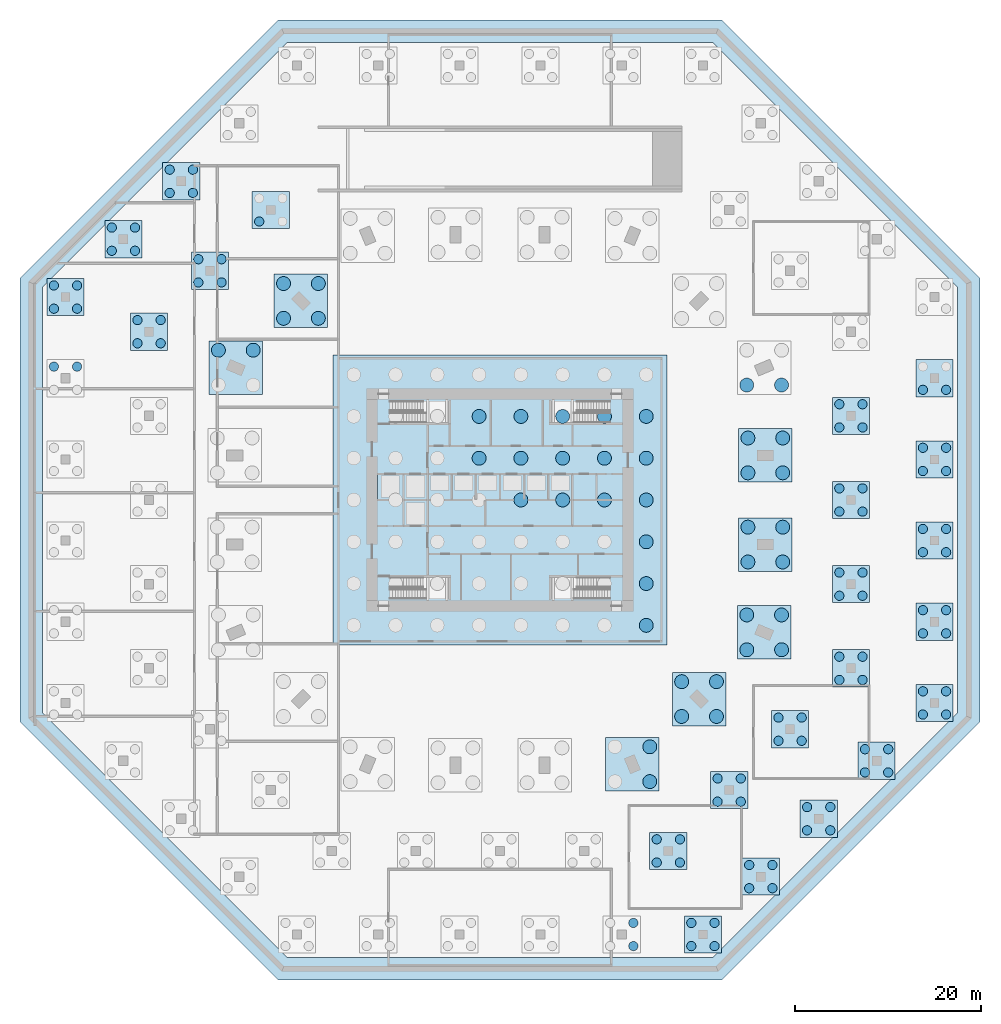
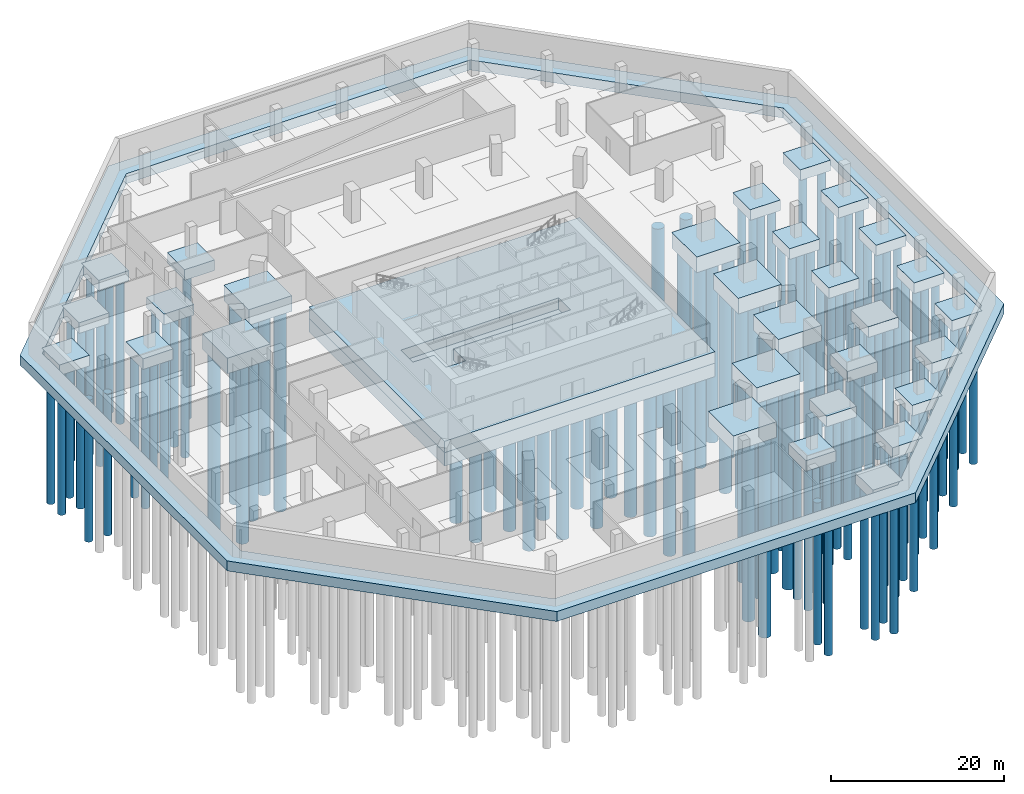
# One storey, part 2 of 14: 130 piles, 32 footings.
"""IFC4 building model written with IfcOpenShell, lengths in metres."""

from ifc_helpers import new_model, si_unit, direction, frame, origin, origin_2d, place, context, subcontext, project, spatial, polyline, circle, outline, extrude, material, layer, layer_set, type_object, element, save


model = new_model("IFC4")

# Units and contexts
model_context = context("Model", 3, precision=1e-05, world=origin(), true_north=direction((0.0, 1.0)))
body_context = subcontext(model_context, "Body", "Model", "MODEL_VIEW")
ifc_project = project(units=[si_unit("LENGTHUNIT", "METRE"), si_unit("AREAUNIT", "SQUARE_METRE"), si_unit("VOLUMEUNIT", "CUBIC_METRE"), si_unit("PLANEANGLEUNIT", "RADIAN"), si_unit("MASSUNIT", "GRAM", prefix="KILO")], contexts=[model_context])

# Site, building, storey
site_placement = place(None, origin())
site = spatial("IfcSite", under=ifc_project, at=site_placement, CompositionType="ELEMENT")
building_placement = place(site_placement, origin())
building = spatial("IfcBuilding", under=site, at=building_placement, Name="Msitu Wima Residences", CompositionType="ELEMENT")
storey_placement = place(building_placement, frame((0.0, 0.0, -9.0)))
storey = spatial("IfcBuildingStorey", under=building, at=storey_placement, Name="B2", CompositionType="ELEMENT", Elevation=-9.0)

# Piles
ifc_material = material(Name="Concrete C40/50", Category="concrete")
pile_type_1 = type_object("IfcPileType", Name="Bored pile PH1 D1500", PredefinedType="BORED", material=ifc_material)
for number, where, z_axis, x_axis, name in (
    (1, (15.75, -13.5, -3.5), (0.0, 0.0, -1.0), (1.0, 0.0, 0.0), "Raft pile PH1-08"),
    (2, (15.75, -9.0, -3.5), (0.0, 0.0, -1.0), (1.0, 0.0, 0.0), "Raft pile PH1-16"),
    (3, (15.75, -4.5, -3.5), (0.0, 0.0, -1.0), (1.0, 0.0, 0.0), "Raft pile PH1-24"),
    (4, (2.25, 0.0, -3.5), (0.0, 0.0, -1.0), (1.0, 0.0, 0.0), "Raft pile PH1-29"),
    (5, (6.75, 0.0, -3.5), (0.0, 0.0, -1.0), (1.0, 0.0, 0.0), "Raft pile PH1-30"),
    (6, (11.25, 0.0, -3.5), (0.0, 0.0, -1.0), (1.0, 0.0, 0.0), "Raft pile PH1-31"),
    (7, (15.75, 0.0, -3.5), (0.0, 0.0, -1.0), (1.0, 0.0, 0.0), "Raft pile PH1-32"),
    (8, (-2.25, 4.5, -3.5), (0.0, 0.0, -1.0), (1.0, 0.0, 0.0), "Raft pile PH1-36"),
    (9, (2.25, 4.5, -3.5), (0.0, 0.0, -1.0), (1.0, 0.0, 0.0), "Raft pile PH1-37"),
    (10, (6.75, 4.5, -3.5), (0.0, 0.0, -1.0), (1.0, 0.0, 0.0), "Raft pile PH1-38"),
    (11, (11.25, 4.5, -3.5), (0.0, 0.0, -1.0), (1.0, 0.0, 0.0), "Raft pile PH1-39"),
    (12, (15.75, 4.5, -3.5), (0.0, 0.0, -1.0), (1.0, 0.0, 0.0), "Raft pile PH1-40"),
    (13, (-2.25, 9.0, -3.5), (0.0, 0.0, -1.0), (1.0, 0.0, 0.0), "Raft pile PH1-44"),
    (14, (2.25, 9.0, -3.5), (0.0, 0.0, -1.0), (1.0, 0.0, 0.0), "Raft pile PH1-45"),
    (15, (6.75, 9.0, -3.5), (0.0, 0.0, -1.0), (1.0, 0.0, 0.0), "Raft pile PH1-46"),
    (16, (11.25, 9.0, -3.5), (0.0, 0.0, -1.0), (1.0, 0.0, 0.0), "Raft pile PH1-47"),
    (17, (15.75, 9.0, -3.5), (0.0, 0.0, -1.0), (1.0, 0.0, 0.0), "Raft pile PH1-48"),
    (18, (16.1318359375, -30.3291015625, -2.199951171875), (0.0, 0.0, -1.0), (1.0, 0.0, 0.0), "Pile PH1-021-2"),
    (19, (16.1318359375, -26.5791015625, -2.199951171875), (0.0, 0.0, -1.0), (1.0, 0.0, 0.0), "Pile PH1-021-3"),
    (20, (19.56591796875, -23.31591796875, -2.199951171875), (0.0, 0.0, -1.0), (1.0, 0.0, 0.0), "Pile PH1-027-1"),
    (21, (23.31591796875, -23.31591796875, -2.199951171875), (0.0, 0.0, -1.0), (1.0, 0.0, 0.0), "Pile PH1-027-2"),
    (22, (23.31591796875, -19.56591796875, -2.199951171875), (0.0, 0.0, -1.0), (1.0, 0.0, 0.0), "Pile PH1-027-3"),
    (23, (19.56591796875, -19.56591796875, -2.199951171875), (0.0, 0.0, -1.0), (1.0, 0.0, 0.0), "Pile PH1-027-4"),
    (24, (26.5791015625, -16.1318359375, -2.199951171875), (0.0, 0.0, -1.0), (1.0, 0.0, 0.0), "Pile PH1-033-1"),
    (25, (30.3291015625, -16.1318359375, -2.199951171875), (0.0, 0.0, -1.0), (1.0, 0.0, 0.0), "Pile PH1-033-2"),
    (26, (30.3291015625, -12.3818359375, -2.199951171875), (0.0, 0.0, -1.0), (1.0, 0.0, 0.0), "Pile PH1-033-3"),
    (27, (26.5791015625, -12.3818359375, -2.199951171875), (0.0, 0.0, -1.0), (1.0, 0.0, 0.0), "Pile PH1-033-4"),
    (28, (26.699951171875, -6.675048828125, -2.199951171875), (0.0, 0.0, -1.0), (1.0, 0.0, 0.0), "Pile PH1-039-1"),
    (29, (30.449951171875, -6.675048828125, -2.199951171875), (0.0, 0.0, -1.0), (1.0, 0.0, 0.0), "Pile PH1-039-2"),
    (30, (30.449951171875, -2.925048828125, -2.199951171875), (0.0, 0.0, -1.0), (1.0, 0.0, 0.0), "Pile PH1-039-3"),
    (31, (26.699951171875, -2.925048828125, -2.199951171875), (0.0, 0.0, -1.0), (1.0, 0.0, 0.0), "Pile PH1-039-4"),
    (32, (26.699951171875, 2.925048828125, -2.199951171875), (0.0, 0.0, -1.0), (1.0, 0.0, 0.0), "Pile PH1-045-1"),
    (33, (30.449951171875, 2.925048828125, -2.199951171875), (0.0, 0.0, -1.0), (1.0, 0.0, 0.0), "Pile PH1-045-2"),
    (34, (30.449951171875, 6.675048828125, -2.199951171875), (0.0, 0.0, -1.0), (1.0, 0.0, 0.0), "Pile PH1-045-3"),
    (35, (26.699951171875, 6.675048828125, -2.199951171875), (0.0, 0.0, -1.0), (1.0, 0.0, 0.0), "Pile PH1-045-4"),
    (36, (-26.5791015625, 16.1318359375, -2.199951171875), (0.0, 0.0, -1.0), (1.0, 0.0, 0.0), "Pile PH1-052-3"),
    (37, (-30.3291015625, 16.1318359375, -2.199951171875), (0.0, 0.0, -1.0), (1.0, 0.0, 0.0), "Pile PH1-052-4"),
    (38, (26.5791015625, 12.3818359375, -2.199951171875), (0.0, 0.0, -1.0), (1.0, 0.0, 0.0), "Pile PH1-053-1"),
    (39, (30.3291015625, 12.3818359375, -2.199951171875), (0.0, 0.0, -1.0), (1.0, 0.0, 0.0), "Pile PH1-053-2"),
    (40, (-23.31591796875, 19.56591796875, -2.199951171875), (0.0, 0.0, -1.0), (1.0, 0.0, 0.0), "Pile PH1-056-1"),
    (41, (-19.56591796875, 19.56591796875, -2.199951171875), (0.0, 0.0, -1.0), (1.0, 0.0, 0.0), "Pile PH1-056-2"),
    (42, (-19.56591796875, 23.31591796875, -2.199951171875), (0.0, 0.0, -1.0), (1.0, 0.0, 0.0), "Pile PH1-056-3"),
    (43, (-23.31591796875, 23.31591796875, -2.199951171875), (0.0, 0.0, -1.0), (1.0, 0.0, 0.0), "Pile PH1-056-4"),
):
    element("IfcPile", number, at=place(storey_placement, frame(where, z_axis=z_axis, x_axis=x_axis)), inside=storey, type_object=pile_type_1, Name=name, PredefinedType="BORED", context=body_context, shape_type="SweptSolid", body=[
        extrude(circle(Radius=0.75, at=origin_2d()), origin(), (0.0, 0.0, 1.0), 28.0),
    ])
pile_type_2 = type_object("IfcPileType", Name="Bored pile PL1 D1000", PredefinedType="BORED", material=ifc_material)
for number, where, z_axis, x_axis, name in (
    (44, (14.363525390625, -48.050048828125, -1.5), (0.0, 0.0, -1.0), (1.0, 0.0, 0.0), "Pile PLP1-005-2"),
    (45, (14.363525390625, -45.550048828125, -1.5), (0.0, 0.0, -1.0), (1.0, 0.0, 0.0), "Pile PLP1-005-3"),
    (46, (20.60595703125, -48.050048828125, -1.5), (0.0, 0.0, -1.0), (1.0, 0.0, 0.0), "Pile PLP1-006-1"),
    (47, (23.10595703125, -48.050048828125, -1.5), (0.0, 0.0, -1.0), (1.0, 0.0, 0.0), "Pile PLP1-006-2"),
    (48, (23.10595703125, -45.550048828125, -1.5), (0.0, 0.0, -1.0), (1.0, 0.0, 0.0), "Pile PLP1-006-3"),
    (49, (20.60595703125, -45.550048828125, -1.5), (0.0, 0.0, -1.0), (1.0, 0.0, 0.0), "Pile PLP1-006-4"),
    (50, (26.841796875, -41.81396484375, -1.5), (0.0, 0.0, -1.0), (1.0, 0.0, 0.0), "Pile PLP1-008-1"),
    (51, (29.341796875, -41.81396484375, -1.5), (0.0, 0.0, -1.0), (1.0, 0.0, 0.0), "Pile PLP1-008-2"),
    (52, (29.341796875, -39.31396484375, -1.5), (0.0, 0.0, -1.0), (1.0, 0.0, 0.0), "Pile PLP1-008-3"),
    (53, (26.841796875, -39.31396484375, -1.5), (0.0, 0.0, -1.0), (1.0, 0.0, 0.0), "Pile PLP1-008-4"),
    (54, (16.8779296875, -39.050048828125, -1.5), (0.0, 0.0, -1.0), (1.0, 0.0, 0.0), "Pile PLP1-013-1"),
    (55, (19.3779296875, -39.050048828125, -1.5), (0.0, 0.0, -1.0), (1.0, 0.0, 0.0), "Pile PLP1-013-2"),
    (56, (19.3779296875, -36.550048828125, -1.5), (0.0, 0.0, -1.0), (1.0, 0.0, 0.0), "Pile PLP1-013-3"),
    (57, (16.8779296875, -36.550048828125, -1.5), (0.0, 0.0, -1.0), (1.0, 0.0, 0.0), "Pile PLP1-013-4"),
    (58, (33.077880859375, -35.577880859375, -1.5), (0.0, 0.0, -1.0), (1.0, 0.0, 0.0), "Pile PLP1-015-1"),
    (59, (35.577880859375, -35.577880859375, -1.5), (0.0, 0.0, -1.0), (1.0, 0.0, 0.0), "Pile PLP1-015-2"),
    (60, (35.577880859375, -33.077880859375, -1.5), (0.0, 0.0, -1.0), (1.0, 0.0, 0.0), "Pile PLP1-015-3"),
    (61, (33.077880859375, -33.077880859375, -1.5), (0.0, 0.0, -1.0), (1.0, 0.0, 0.0), "Pile PLP1-015-4"),
    (62, (23.435302734375, -32.49267578125, -1.5), (0.0, 0.0, -1.0), (1.0, 0.0, 0.0), "Pile PLP1-017-1"),
    (63, (25.935302734375, -32.49267578125, -1.5), (0.0, 0.0, -1.0), (1.0, 0.0, 0.0), "Pile PLP1-017-2"),
    (64, (25.935302734375, -29.99267578125, -1.5), (0.0, 0.0, -1.0), (1.0, 0.0, 0.0), "Pile PLP1-017-3"),
    (65, (23.435302734375, -29.99267578125, -1.5), (0.0, 0.0, -1.0), (1.0, 0.0, 0.0), "Pile PLP1-017-4"),
    (66, (39.31396484375, -29.341796875, -1.5), (0.0, 0.0, -1.0), (1.0, 0.0, 0.0), "Pile PLP1-023-1"),
    (67, (41.81396484375, -29.341796875, -1.5), (0.0, 0.0, -1.0), (1.0, 0.0, 0.0), "Pile PLP1-023-2"),
    (68, (41.81396484375, -26.841796875, -1.5), (0.0, 0.0, -1.0), (1.0, 0.0, 0.0), "Pile PLP1-023-3"),
    (69, (39.31396484375, -26.841796875, -1.5), (0.0, 0.0, -1.0), (1.0, 0.0, 0.0), "Pile PLP1-023-4"),
    (70, (29.99267578125, -25.935302734375, -1.5), (0.0, 0.0, -1.0), (1.0, 0.0, 0.0), "Pile PLP1-025-1"),
    (71, (32.49267578125, -25.935302734375, -1.5), (0.0, 0.0, -1.0), (1.0, 0.0, 0.0), "Pile PLP1-025-2"),
    (72, (32.49267578125, -23.435302734375, -1.5), (0.0, 0.0, -1.0), (1.0, 0.0, 0.0), "Pile PLP1-025-3"),
    (73, (29.99267578125, -23.435302734375, -1.5), (0.0, 0.0, -1.0), (1.0, 0.0, 0.0), "Pile PLP1-025-4"),
    (74, (45.550048828125, -23.10595703125, -1.5), (0.0, 0.0, -1.0), (1.0, 0.0, 0.0), "Pile PLP1-029-1"),
    (75, (48.050048828125, -23.10595703125, -1.5), (0.0, 0.0, -1.0), (1.0, 0.0, 0.0), "Pile PLP1-029-2"),
    (76, (48.050048828125, -20.60595703125, -1.5), (0.0, 0.0, -1.0), (1.0, 0.0, 0.0), "Pile PLP1-029-3"),
    (77, (45.550048828125, -20.60595703125, -1.5), (0.0, 0.0, -1.0), (1.0, 0.0, 0.0), "Pile PLP1-029-4"),
    (78, (36.550048828125, -19.3779296875, -1.5), (0.0, 0.0, -1.0), (1.0, 0.0, 0.0), "Pile PLP1-031-1"),
    (79, (39.050048828125, -19.3779296875, -1.5), (0.0, 0.0, -1.0), (1.0, 0.0, 0.0), "Pile PLP1-031-2"),
    (80, (39.050048828125, -16.8779296875, -1.5), (0.0, 0.0, -1.0), (1.0, 0.0, 0.0), "Pile PLP1-031-3"),
    (81, (36.550048828125, -16.8779296875, -1.5), (0.0, 0.0, -1.0), (1.0, 0.0, 0.0), "Pile PLP1-031-4"),
    (82, (45.550048828125, -14.363525390625, -1.5), (0.0, 0.0, -1.0), (1.0, 0.0, 0.0), "Pile PLP1-035-1"),
    (83, (48.050048828125, -14.363525390625, -1.5), (0.0, 0.0, -1.0), (1.0, 0.0, 0.0), "Pile PLP1-035-2"),
    (84, (48.050048828125, -11.863525390625, -1.5), (0.0, 0.0, -1.0), (1.0, 0.0, 0.0), "Pile PLP1-035-3"),
    (85, (45.550048828125, -11.863525390625, -1.5), (0.0, 0.0, -1.0), (1.0, 0.0, 0.0), "Pile PLP1-035-4"),
    (86, (36.550048828125, -10.31396484375, -1.5), (0.0, 0.0, -1.0), (1.0, 0.0, 0.0), "Pile PLP1-037-1"),
    (87, (39.050048828125, -10.31396484375, -1.5), (0.0, 0.0, -1.0), (1.0, 0.0, 0.0), "Pile PLP1-037-2"),
    (88, (39.050048828125, -7.81396484375, -1.5), (0.0, 0.0, -1.0), (1.0, 0.0, 0.0), "Pile PLP1-037-3"),
    (89, (36.550048828125, -7.81396484375, -1.5), (0.0, 0.0, -1.0), (1.0, 0.0, 0.0), "Pile PLP1-037-4"),
    (90, (45.550048828125, -5.62109375, -1.5), (0.0, 0.0, -1.0), (1.0, 0.0, 0.0), "Pile PLP1-041-1"),
    (91, (48.050048828125, -5.62109375, -1.5), (0.0, 0.0, -1.0), (1.0, 0.0, 0.0), "Pile PLP1-041-2"),
    (92, (48.050048828125, -3.12109375, -1.5), (0.0, 0.0, -1.0), (1.0, 0.0, 0.0), "Pile PLP1-041-3"),
    (93, (45.550048828125, -3.12109375, -1.5), (0.0, 0.0, -1.0), (1.0, 0.0, 0.0), "Pile PLP1-041-4"),
    (94, (36.550048828125, -1.25, -1.5), (0.0, 0.0, -1.0), (1.0, 0.0, 0.0), "Pile PLP1-043-1"),
    (95, (39.050048828125, -1.25, -1.5), (0.0, 0.0, -1.0), (1.0, 0.0, 0.0), "Pile PLP1-043-2"),
    (96, (39.050048828125, 1.25, -1.5), (0.0, 0.0, -1.0), (1.0, 0.0, 0.0), "Pile PLP1-043-3"),
    (97, (36.550048828125, 1.25, -1.5), (0.0, 0.0, -1.0), (1.0, 0.0, 0.0), "Pile PLP1-043-4"),
    (98, (45.550048828125, 3.12109375, -1.5), (0.0, 0.0, -1.0), (1.0, 0.0, 0.0), "Pile PLP1-047-1"),
    (99, (48.050048828125, 3.12109375, -1.5), (0.0, 0.0, -1.0), (1.0, 0.0, 0.0), "Pile PLP1-047-2"),
    (100, (48.050048828125, 5.62109375, -1.5), (0.0, 0.0, -1.0), (1.0, 0.0, 0.0), "Pile PLP1-047-3"),
    (101, (45.550048828125, 5.62109375, -1.5), (0.0, 0.0, -1.0), (1.0, 0.0, 0.0), "Pile PLP1-047-4"),
    (102, (36.550048828125, 7.81396484375, -1.5), (0.0, 0.0, -1.0), (1.0, 0.0, 0.0), "Pile PLP1-049-1"),
    (103, (39.050048828125, 7.81396484375, -1.5), (0.0, 0.0, -1.0), (1.0, 0.0, 0.0), "Pile PLP1-049-2"),
    (104, (39.050048828125, 10.31396484375, -1.5), (0.0, 0.0, -1.0), (1.0, 0.0, 0.0), "Pile PLP1-049-3"),
    (105, (36.550048828125, 10.31396484375, -1.5), (0.0, 0.0, -1.0), (1.0, 0.0, 0.0), "Pile PLP1-049-4"),
    (106, (-45.550048828125, 14.363525390625, -1.5), (0.0, 0.0, -1.0), (1.0, 0.0, 0.0), "Pile PLP1-050-3"),
    (107, (-48.050048828125, 14.363525390625, -1.5), (0.0, 0.0, -1.0), (1.0, 0.0, 0.0), "Pile PLP1-050-4"),
    (108, (45.550048828125, 11.863525390625, -1.5), (0.0, 0.0, -1.0), (1.0, 0.0, 0.0), "Pile PLP1-051-1"),
    (109, (48.050048828125, 11.863525390625, -1.5), (0.0, 0.0, -1.0), (1.0, 0.0, 0.0), "Pile PLP1-051-2"),
    (110, (-39.050048828125, 16.8779296875, -1.5), (0.0, 0.0, -1.0), (1.0, 0.0, 0.0), "Pile PLP1-054-1"),
    (111, (-36.550048828125, 16.8779296875, -1.5), (0.0, 0.0, -1.0), (1.0, 0.0, 0.0), "Pile PLP1-054-2"),
    (112, (-36.550048828125, 19.3779296875, -1.5), (0.0, 0.0, -1.0), (1.0, 0.0, 0.0), "Pile PLP1-054-3"),
    (113, (-39.050048828125, 19.3779296875, -1.5), (0.0, 0.0, -1.0), (1.0, 0.0, 0.0), "Pile PLP1-054-4"),
    (114, (-48.050048828125, 20.60595703125, -1.5), (0.0, 0.0, -1.0), (1.0, 0.0, 0.0), "Pile PLP1-058-1"),
    (115, (-45.550048828125, 20.60595703125, -1.5), (0.0, 0.0, -1.0), (1.0, 0.0, 0.0), "Pile PLP1-058-2"),
    (116, (-45.550048828125, 23.10595703125, -1.5), (0.0, 0.0, -1.0), (1.0, 0.0, 0.0), "Pile PLP1-058-3"),
    (117, (-48.050048828125, 23.10595703125, -1.5), (0.0, 0.0, -1.0), (1.0, 0.0, 0.0), "Pile PLP1-058-4"),
    (118, (-32.49267578125, 23.435302734375, -1.5), (0.0, 0.0, -1.0), (1.0, 0.0, 0.0), "Pile PLP1-060-1"),
    (119, (-29.99267578125, 23.435302734375, -1.5), (0.0, 0.0, -1.0), (1.0, 0.0, 0.0), "Pile PLP1-060-2"),
    (120, (-29.99267578125, 25.935302734375, -1.5), (0.0, 0.0, -1.0), (1.0, 0.0, 0.0), "Pile PLP1-060-3"),
    (121, (-32.49267578125, 25.935302734375, -1.5), (0.0, 0.0, -1.0), (1.0, 0.0, 0.0), "Pile PLP1-060-4"),
    (122, (-41.81396484375, 26.841796875, -1.5), (0.0, 0.0, -1.0), (1.0, 0.0, 0.0), "Pile PLP1-066-1"),
    (123, (-39.31396484375, 26.841796875, -1.5), (0.0, 0.0, -1.0), (1.0, 0.0, 0.0), "Pile PLP1-066-2"),
    (124, (-39.31396484375, 29.341796875, -1.5), (0.0, 0.0, -1.0), (1.0, 0.0, 0.0), "Pile PLP1-066-3"),
    (125, (-41.81396484375, 29.341796875, -1.5), (0.0, 0.0, -1.0), (1.0, 0.0, 0.0), "Pile PLP1-066-4"),
    (126, (-25.935302734375, 29.99267578125, -1.5), (0.0, 0.0, -1.0), (1.0, 0.0, 0.0), "Pile PLP1-068-1"),
    (127, (-35.577880859375, 33.077880859375, -1.5), (0.0, 0.0, -1.0), (1.0, 0.0, 0.0), "Pile PLP1-070-1"),
    (128, (-33.077880859375, 33.077880859375, -1.5), (0.0, 0.0, -1.0), (1.0, 0.0, 0.0), "Pile PLP1-070-2"),
    (129, (-33.077880859375, 35.577880859375, -1.5), (0.0, 0.0, -1.0), (1.0, 0.0, 0.0), "Pile PLP1-070-3"),
    (130, (-35.577880859375, 35.577880859375, -1.5), (0.0, 0.0, -1.0), (1.0, 0.0, 0.0), "Pile PLP1-070-4"),
):
    element("IfcPile", number, at=place(storey_placement, frame(where, z_axis=z_axis, x_axis=x_axis)), inside=storey, type_object=pile_type_2, Name=name, PredefinedType="BORED", context=body_context, shape_type="SweptSolid", body=[
        extrude(circle(Radius=0.5, at=origin_2d()), origin(), (0.0, 0.0, 1.0), 20.0),
    ])

# Footings
ifc_layer_1 = layer(ifc_material, 1.89990234375)
ifc_layer_set_1 = layer_set([ifc_layer_1], Name="Concrete C40/50")
footing_type_1 = type_object("IfcFootingType", Name="Core raft RF1 base", PredefinedType="PILE_CAP", material=ifc_layer_set_1)
footing_1_placement = place(storey_placement, frame((0.0, 0.0, -3.5)))
element("IfcFooting", 131, at=footing_1_placement, inside=storey, type_object=footing_type_1, Name="Core raft RF1 base", PredefinedType="PILE_CAP", context=body_context, shape_type="SweptSolid", body=[
    extrude(outline(polyline([(18.0, -15.60009765625), (18.0, 15.60009765625), (-18.0, 15.60009765625), (-18.0, -15.60009765625), (18.0, -15.60009765625)])), origin(), (0.0, 0.0, 1.0), 1.89990234375),
])
ifc_layer_2 = layer(ifc_material, 1.60009765625)
ifc_layer_set_2 = layer_set([ifc_layer_2], Name="Concrete C40/50")
footing_type_2 = type_object("IfcFootingType", Name="Core raft RF2 upper", PredefinedType="PILE_CAP", material=ifc_layer_set_2)
footing_2_placement = place(storey_placement, frame((0.0, 0.0, -1.60009765625)))
element("IfcFooting", 132, at=footing_2_placement, inside=storey, type_object=footing_type_2, Name="Core raft RF2 upper (lift pit recesses)", PredefinedType="PILE_CAP", context=body_context, shape_type="SweptSolid", body=[
    extrude(outline(polyline([(18.0, -15.60009765625), (18.0, 15.60009765625), (-18.0, 15.60009765625), (-18.0, -15.60009765625), (18.0, -15.60009765625)]), holes=[polyline([(-10.39990234375, -2.800048828125), (-10.39990234375, 0.0), (-13.199951171875, 0.0), (-13.199951171875, 2.800048828125), (-10.39990234375, 2.800048828125), (-7.800048828125, 2.800048828125), (-5.199951171875, 2.800048828125), (-2.60009765625, 2.800048828125), (0.0, 2.800048828125), (2.60009765625, 2.800048828125), (5.199951171875, 2.800048828125), (7.800048828125, 2.800048828125), (7.800048828125, 0.0), (5.199951171875, 0.0), (2.60009765625, 0.0), (0.0, 0.0), (-2.60009765625, 0.0), (-5.199951171875, 0.0), (-7.800048828125, 0.0), (-7.800048828125, -2.800048828125), (-10.39990234375, -2.800048828125)])]), origin(), (0.0, 0.0, 1.0), 1.60009765625),
])
ifc_layer_3 = layer(ifc_material, 2.199951171875)
ifc_layer_set_3 = layer_set([ifc_layer_3], Name="Concrete C40/50")
footing_type_3 = type_object("IfcFootingType", Name="Pile cap PC1 heavy", PredefinedType="PILE_CAP", material=ifc_layer_set_3)
footing_3_placement = place(storey_placement, frame((0.0, 0.0, -2.199951171875)))
element("IfcFooting", 133, at=footing_3_placement, inside=storey, type_object=footing_type_3, Name="Pile cap CAP1-021", PredefinedType="PILE_CAP", context=body_context, shape_type="SweptSolid", body=[
    extrude(outline(polyline([(17.1318359375, -31.3291015625), (17.1318359375, -25.5791015625), (11.3818359375, -25.5791015625), (11.3818359375, -31.3291015625), (17.1318359375, -31.3291015625)])), origin(), (0.0, 0.0, 1.0), 2.199951171875),
])
footing_4_placement = place(storey_placement, frame((0.0, 0.0, -2.199951171875)))
element("IfcFooting", 134, at=footing_4_placement, inside=storey, type_object=footing_type_3, Name="Pile cap CAP1-027", PredefinedType="PILE_CAP", context=body_context, shape_type="SweptSolid", body=[
    extrude(outline(polyline([(24.31591796875, -24.31591796875), (24.31591796875, -18.56591796875), (18.56591796875, -18.56591796875), (18.56591796875, -24.31591796875), (24.31591796875, -24.31591796875)])), origin(), (0.0, 0.0, 1.0), 2.199951171875),
])
footing_5_placement = place(storey_placement, frame((0.0, 0.0, -2.199951171875)))
element("IfcFooting", 135, at=footing_5_placement, inside=storey, type_object=footing_type_3, Name="Pile cap CAP1-033", PredefinedType="PILE_CAP", context=body_context, shape_type="SweptSolid", body=[
    extrude(outline(polyline([(31.3291015625, -17.1318359375), (31.3291015625, -11.3818359375), (25.5791015625, -11.3818359375), (25.5791015625, -17.1318359375), (31.3291015625, -17.1318359375)])), origin(), (0.0, 0.0, 1.0), 2.199951171875),
])
footing_6_placement = place(storey_placement, frame((0.0, 0.0, -2.199951171875)))
element("IfcFooting", 136, at=footing_6_placement, inside=storey, type_object=footing_type_3, Name="Pile cap CAP1-039", PredefinedType="PILE_CAP", context=body_context, shape_type="SweptSolid", body=[
    extrude(outline(polyline([(31.449951171875, -7.675048828125), (31.449951171875, -1.925048828125), (25.699951171875, -1.925048828125), (25.699951171875, -7.675048828125), (31.449951171875, -7.675048828125)])), origin(), (0.0, 0.0, 1.0), 2.199951171875),
])
footing_7_placement = place(storey_placement, frame((0.0, 0.0, -2.199951171875)))
element("IfcFooting", 137, at=footing_7_placement, inside=storey, type_object=footing_type_3, Name="Pile cap CAP1-045", PredefinedType="PILE_CAP", context=body_context, shape_type="SweptSolid", body=[
    extrude(outline(polyline([(31.449951171875, 1.925048828125), (31.449951171875, 7.675048828125), (25.699951171875, 7.675048828125), (25.699951171875, 1.925048828125), (31.449951171875, 1.925048828125)])), origin(), (0.0, 0.0, 1.0), 2.199951171875),
])
footing_8_placement = place(storey_placement, frame((0.0, 0.0, -2.199951171875)))
element("IfcFooting", 138, at=footing_8_placement, inside=storey, type_object=footing_type_3, Name="Pile cap CAP1-052", PredefinedType="PILE_CAP", context=body_context, shape_type="SweptSolid", body=[
    extrude(outline(polyline([(-25.5791015625, 11.3818359375), (-25.5791015625, 17.1318359375), (-31.3291015625, 17.1318359375), (-31.3291015625, 11.3818359375), (-25.5791015625, 11.3818359375)])), origin(), (0.0, 0.0, 1.0), 2.199951171875),
])
footing_9_placement = place(storey_placement, frame((0.0, 0.0, -2.199951171875)))
element("IfcFooting", 139, at=footing_9_placement, inside=storey, type_object=footing_type_3, Name="Pile cap CAP1-056", PredefinedType="PILE_CAP", context=body_context, shape_type="SweptSolid", body=[
    extrude(outline(polyline([(-18.56591796875, 18.56591796875), (-18.56591796875, 24.31591796875), (-24.31591796875, 24.31591796875), (-24.31591796875, 18.56591796875), (-18.56591796875, 18.56591796875)])), origin(), (0.0, 0.0, 1.0), 2.199951171875),
])
ifc_layer_4 = layer(ifc_material, 1.5)
ifc_layer_set_4 = layer_set([ifc_layer_4], Name="Concrete C40/50")
footing_type_4 = type_object("IfcFootingType", Name="Pile cap PC2 light", PredefinedType="PILE_CAP", material=ifc_layer_set_4)
footing_10_placement = place(storey_placement, frame((0.0, 0.0, -1.5)))
element("IfcFooting", 140, at=footing_10_placement, inside=storey, type_object=footing_type_4, Name="Pile cap CAP2-006", PredefinedType="PILE_CAP", context=body_context, shape_type="SweptSolid", body=[
    extrude(outline(polyline([(23.85595703125, -48.800048828125), (23.85595703125, -44.800048828125), (19.85595703125, -44.800048828125), (19.85595703125, -48.800048828125), (23.85595703125, -48.800048828125)])), origin(), (0.0, 0.0, 1.0), 1.5),
])
footing_11_placement = place(storey_placement, frame((0.0, 0.0, -1.5)))
element("IfcFooting", 141, at=footing_11_placement, inside=storey, type_object=footing_type_4, Name="Pile cap CAP2-008", PredefinedType="PILE_CAP", context=body_context, shape_type="SweptSolid", body=[
    extrude(outline(polyline([(30.091796875, -42.56396484375), (30.091796875, -38.56396484375), (26.091796875, -38.56396484375), (26.091796875, -42.56396484375), (30.091796875, -42.56396484375)])), origin(), (0.0, 0.0, 1.0), 1.5),
])
footing_12_placement = place(storey_placement, frame((0.0, 0.0, -1.5)))
element("IfcFooting", 142, at=footing_12_placement, inside=storey, type_object=footing_type_4, Name="Pile cap CAP2-013", PredefinedType="PILE_CAP", context=body_context, shape_type="SweptSolid", body=[
    extrude(outline(polyline([(20.1279296875, -39.800048828125), (20.1279296875, -35.800048828125), (16.1279296875, -35.800048828125), (16.1279296875, -39.800048828125), (20.1279296875, -39.800048828125)])), origin(), (0.0, 0.0, 1.0), 1.5),
])
footing_13_placement = place(storey_placement, frame((0.0, 0.0, -1.5)))
element("IfcFooting", 143, at=footing_13_placement, inside=storey, type_object=footing_type_4, Name="Pile cap CAP2-015", PredefinedType="PILE_CAP", context=body_context, shape_type="SweptSolid", body=[
    extrude(outline(polyline([(36.327880859375, -36.327880859375), (36.327880859375, -32.327880859375), (32.327880859375, -32.327880859375), (32.327880859375, -36.327880859375), (36.327880859375, -36.327880859375)])), origin(), (0.0, 0.0, 1.0), 1.5),
])
footing_14_placement = place(storey_placement, frame((0.0, 0.0, -1.5)))
element("IfcFooting", 144, at=footing_14_placement, inside=storey, type_object=footing_type_4, Name="Pile cap CAP2-017", PredefinedType="PILE_CAP", context=body_context, shape_type="SweptSolid", body=[
    extrude(outline(polyline([(26.685302734375, -33.24267578125), (26.685302734375, -29.24267578125), (22.685302734375, -29.24267578125), (22.685302734375, -33.24267578125), (26.685302734375, -33.24267578125)])), origin(), (0.0, 0.0, 1.0), 1.5),
])
footing_15_placement = place(storey_placement, frame((0.0, 0.0, -1.5)))
element("IfcFooting", 145, at=footing_15_placement, inside=storey, type_object=footing_type_4, Name="Pile cap CAP2-023", PredefinedType="PILE_CAP", context=body_context, shape_type="SweptSolid", body=[
    extrude(outline(polyline([(42.56396484375, -30.091796875), (42.56396484375, -26.091796875), (38.56396484375, -26.091796875), (38.56396484375, -30.091796875), (42.56396484375, -30.091796875)])), origin(), (0.0, 0.0, 1.0), 1.5),
])
footing_16_placement = place(storey_placement, frame((0.0, 0.0, -1.5)))
element("IfcFooting", 146, at=footing_16_placement, inside=storey, type_object=footing_type_4, Name="Pile cap CAP2-025", PredefinedType="PILE_CAP", context=body_context, shape_type="SweptSolid", body=[
    extrude(outline(polyline([(33.24267578125, -26.685302734375), (33.24267578125, -22.685302734375), (29.24267578125, -22.685302734375), (29.24267578125, -26.685302734375), (33.24267578125, -26.685302734375)])), origin(), (0.0, 0.0, 1.0), 1.5),
])
footing_17_placement = place(storey_placement, frame((0.0, 0.0, -1.5)))
element("IfcFooting", 147, at=footing_17_placement, inside=storey, type_object=footing_type_4, Name="Pile cap CAP2-029", PredefinedType="PILE_CAP", context=body_context, shape_type="SweptSolid", body=[
    extrude(outline(polyline([(48.800048828125, -23.85595703125), (48.800048828125, -19.85595703125), (44.800048828125, -19.85595703125), (44.800048828125, -23.85595703125), (48.800048828125, -23.85595703125)])), origin(), (0.0, 0.0, 1.0), 1.5),
])
footing_18_placement = place(storey_placement, frame((0.0, 0.0, -1.5)))
element("IfcFooting", 148, at=footing_18_placement, inside=storey, type_object=footing_type_4, Name="Pile cap CAP2-031", PredefinedType="PILE_CAP", context=body_context, shape_type="SweptSolid", body=[
    extrude(outline(polyline([(39.800048828125, -20.1279296875), (39.800048828125, -16.1279296875), (35.800048828125, -16.1279296875), (35.800048828125, -20.1279296875), (39.800048828125, -20.1279296875)])), origin(), (0.0, 0.0, 1.0), 1.5),
])
footing_19_placement = place(storey_placement, frame((0.0, 0.0, -1.5)))
element("IfcFooting", 149, at=footing_19_placement, inside=storey, type_object=footing_type_4, Name="Pile cap CAP2-035", PredefinedType="PILE_CAP", context=body_context, shape_type="SweptSolid", body=[
    extrude(outline(polyline([(48.800048828125, -15.113525390625), (48.800048828125, -11.113525390625), (44.800048828125, -11.113525390625), (44.800048828125, -15.113525390625), (48.800048828125, -15.113525390625)])), origin(), (0.0, 0.0, 1.0), 1.5),
])
footing_20_placement = place(storey_placement, frame((0.0, 0.0, -1.5)))
element("IfcFooting", 150, at=footing_20_placement, inside=storey, type_object=footing_type_4, Name="Pile cap CAP2-037", PredefinedType="PILE_CAP", context=body_context, shape_type="SweptSolid", body=[
    extrude(outline(polyline([(39.800048828125, -11.06396484375), (39.800048828125, -7.06396484375), (35.800048828125, -7.06396484375), (35.800048828125, -11.06396484375), (39.800048828125, -11.06396484375)])), origin(), (0.0, 0.0, 1.0), 1.5),
])
footing_21_placement = place(storey_placement, frame((0.0, 0.0, -1.5)))
element("IfcFooting", 151, at=footing_21_placement, inside=storey, type_object=footing_type_4, Name="Pile cap CAP2-041", PredefinedType="PILE_CAP", context=body_context, shape_type="SweptSolid", body=[
    extrude(outline(polyline([(48.800048828125, -6.37109375), (48.800048828125, -2.37109375), (44.800048828125, -2.37109375), (44.800048828125, -6.37109375), (48.800048828125, -6.37109375)])), origin(), (0.0, 0.0, 1.0), 1.5),
])
footing_22_placement = place(storey_placement, frame((0.0, 0.0, -1.5)))
element("IfcFooting", 152, at=footing_22_placement, inside=storey, type_object=footing_type_4, Name="Pile cap CAP2-043", PredefinedType="PILE_CAP", context=body_context, shape_type="SweptSolid", body=[
    extrude(outline(polyline([(39.800048828125, -2.0), (39.800048828125, 2.0), (35.800048828125, 2.0), (35.800048828125, -2.0), (39.800048828125, -2.0)])), origin(), (0.0, 0.0, 1.0), 1.5),
])
footing_23_placement = place(storey_placement, frame((0.0, 0.0, -1.5)))
element("IfcFooting", 153, at=footing_23_placement, inside=storey, type_object=footing_type_4, Name="Pile cap CAP2-047", PredefinedType="PILE_CAP", context=body_context, shape_type="SweptSolid", body=[
    extrude(outline(polyline([(48.800048828125, 2.37109375), (48.800048828125, 6.37109375), (44.800048828125, 6.37109375), (44.800048828125, 2.37109375), (48.800048828125, 2.37109375)])), origin(), (0.0, 0.0, 1.0), 1.5),
])
footing_24_placement = place(storey_placement, frame((0.0, 0.0, -1.5)))
element("IfcFooting", 154, at=footing_24_placement, inside=storey, type_object=footing_type_4, Name="Pile cap CAP2-049", PredefinedType="PILE_CAP", context=body_context, shape_type="SweptSolid", body=[
    extrude(outline(polyline([(39.800048828125, 7.06396484375), (39.800048828125, 11.06396484375), (35.800048828125, 11.06396484375), (35.800048828125, 7.06396484375), (39.800048828125, 7.06396484375)])), origin(), (0.0, 0.0, 1.0), 1.5),
])
footing_25_placement = place(storey_placement, frame((0.0, 0.0, -1.5)))
element("IfcFooting", 155, at=footing_25_placement, inside=storey, type_object=footing_type_4, Name="Pile cap CAP2-051", PredefinedType="PILE_CAP", context=body_context, shape_type="SweptSolid", body=[
    extrude(outline(polyline([(48.800048828125, 11.113525390625), (48.800048828125, 15.113525390625), (44.800048828125, 15.113525390625), (44.800048828125, 11.113525390625), (48.800048828125, 11.113525390625)])), origin(), (0.0, 0.0, 1.0), 1.5),
])
footing_26_placement = place(storey_placement, frame((0.0, 0.0, -1.5)))
element("IfcFooting", 156, at=footing_26_placement, inside=storey, type_object=footing_type_4, Name="Pile cap CAP2-054", PredefinedType="PILE_CAP", context=body_context, shape_type="SweptSolid", body=[
    extrude(outline(polyline([(-35.800048828125, 16.1279296875), (-35.800048828125, 20.1279296875), (-39.800048828125, 20.1279296875), (-39.800048828125, 16.1279296875), (-35.800048828125, 16.1279296875)])), origin(), (0.0, 0.0, 1.0), 1.5),
])
footing_27_placement = place(storey_placement, frame((0.0, 0.0, -1.5)))
element("IfcFooting", 157, at=footing_27_placement, inside=storey, type_object=footing_type_4, Name="Pile cap CAP2-058", PredefinedType="PILE_CAP", context=body_context, shape_type="SweptSolid", body=[
    extrude(outline(polyline([(-44.800048828125, 19.85595703125), (-44.800048828125, 23.85595703125), (-48.800048828125, 23.85595703125), (-48.800048828125, 19.85595703125), (-44.800048828125, 19.85595703125)])), origin(), (0.0, 0.0, 1.0), 1.5),
])
footing_28_placement = place(storey_placement, frame((0.0, 0.0, -1.5)))
element("IfcFooting", 158, at=footing_28_placement, inside=storey, type_object=footing_type_4, Name="Pile cap CAP2-060", PredefinedType="PILE_CAP", context=body_context, shape_type="SweptSolid", body=[
    extrude(outline(polyline([(-29.24267578125, 22.685302734375), (-29.24267578125, 26.685302734375), (-33.24267578125, 26.685302734375), (-33.24267578125, 22.685302734375), (-29.24267578125, 22.685302734375)])), origin(), (0.0, 0.0, 1.0), 1.5),
])
footing_29_placement = place(storey_placement, frame((0.0, 0.0, -1.5)))
element("IfcFooting", 159, at=footing_29_placement, inside=storey, type_object=footing_type_4, Name="Pile cap CAP2-066", PredefinedType="PILE_CAP", context=body_context, shape_type="SweptSolid", body=[
    extrude(outline(polyline([(-38.56396484375, 26.091796875), (-38.56396484375, 30.091796875), (-42.56396484375, 30.091796875), (-42.56396484375, 26.091796875), (-38.56396484375, 26.091796875)])), origin(), (0.0, 0.0, 1.0), 1.5),
])
footing_30_placement = place(storey_placement, frame((0.0, 0.0, -1.5)))
element("IfcFooting", 160, at=footing_30_placement, inside=storey, type_object=footing_type_4, Name="Pile cap CAP2-068", PredefinedType="PILE_CAP", context=body_context, shape_type="SweptSolid", body=[
    extrude(outline(polyline([(-22.685302734375, 29.24267578125), (-22.685302734375, 33.24267578125), (-26.685302734375, 33.24267578125), (-26.685302734375, 29.24267578125), (-22.685302734375, 29.24267578125)])), origin(), (0.0, 0.0, 1.0), 1.5),
])
footing_31_placement = place(storey_placement, frame((0.0, 0.0, -1.5)))
element("IfcFooting", 161, at=footing_31_placement, inside=storey, type_object=footing_type_4, Name="Pile cap CAP2-070", PredefinedType="PILE_CAP", context=body_context, shape_type="SweptSolid", body=[
    extrude(outline(polyline([(-32.327880859375, 32.327880859375), (-32.327880859375, 36.327880859375), (-36.327880859375, 36.327880859375), (-36.327880859375, 32.327880859375), (-32.327880859375, 32.327880859375)])), origin(), (0.0, 0.0, 1.0), 1.5),
])
ifc_layer_5 = layer(ifc_material, 1.39990234375)
ifc_layer_set_5 = layer_set([ifc_layer_5], Name="Concrete C40/50")
footing_type_5 = type_object("IfcFootingType", Name="Wall strip footing SF1", PredefinedType="STRIP_FOOTING", material=ifc_layer_set_5)
footing_32_placement = place(storey_placement, frame((0.0, 0.0, -1.39990234375)))
element("IfcFooting", 162, at=footing_32_placement, inside=storey, type_object=footing_type_5, Name="Retaining wall strip footing SF1", PredefinedType="STRIP_FOOTING", context=body_context, shape_type="SweptSolid", body=[
    extrude(outline(polyline([(23.885498046875, -51.699951171875), (-23.885498046875, -51.699951171875), (-51.699951171875, -23.885498046875), (-51.699951171875, 23.885498046875), (-23.885498046875, 51.699951171875), (23.885498046875, 51.699951171875), (51.699951171875, 23.885498046875), (51.699951171875, -23.885498046875), (23.885498046875, -51.699951171875)]), holes=[polyline([(49.300048828125, 22.891357421875), (22.891357421875, 49.300048828125), (-22.891357421875, 49.300048828125), (-49.300048828125, 22.891357421875), (-49.300048828125, -22.891357421875), (-22.891357421875, -49.300048828125), (22.891357421875, -49.300048828125), (49.300048828125, -22.891357421875), (49.300048828125, 22.891357421875)])]), origin(), (0.0, 0.0, 1.0), 1.39990234375),
])

save(model, "model.ifc")
